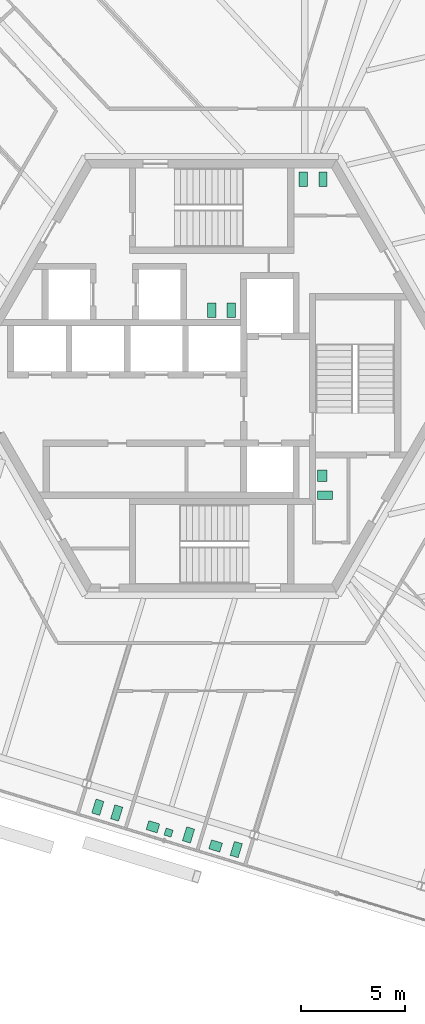
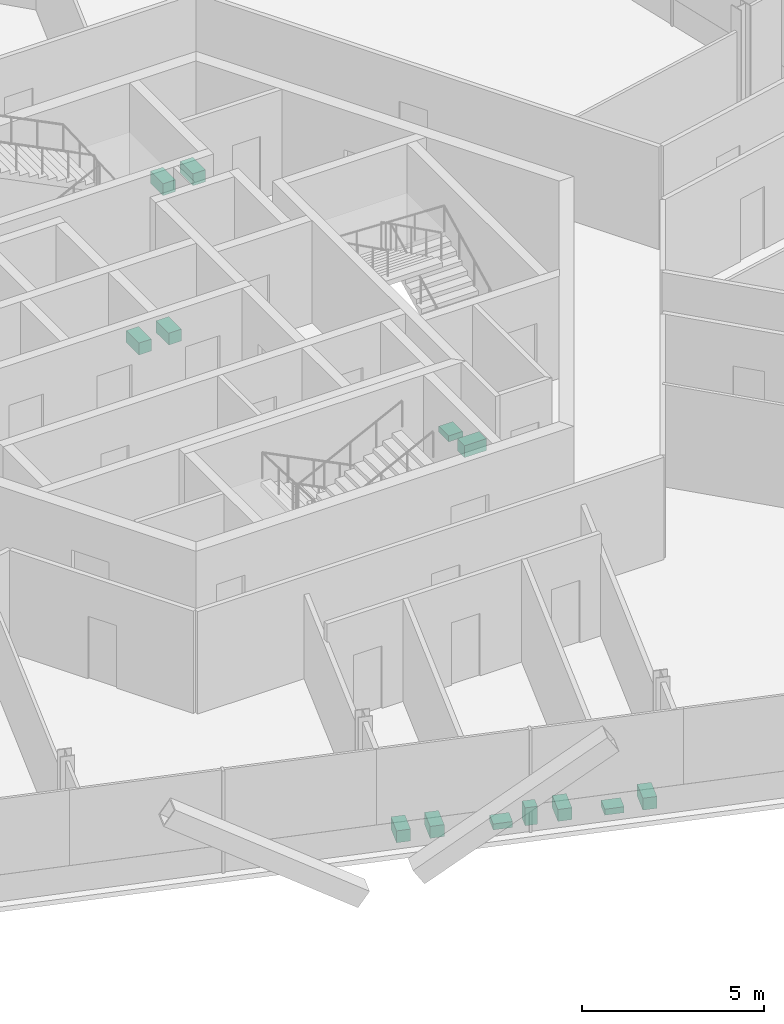
# One storey, part 18 of 20: 13 sanitary terminals.
"""IFC4 building model written with IfcOpenShell, lengths in metres."""

from ifc_helpers import new_model, si_unit, direction, frame, origin, origin_2d, place, context, subcontext, project, spatial, rectangle, extrude, source, transform, mapped, material, element, save


model = new_model("IFC4")

# Units and contexts
model_context = context("Model", 3, precision=1e-05, world=origin(), true_north=direction((0.0, 1.0)))
body_context = subcontext(model_context, "Body", "Model", "MODEL_VIEW")
ifc_project = project(units=[si_unit("LENGTHUNIT", "METRE"), si_unit("AREAUNIT", "SQUARE_METRE"), si_unit("VOLUMEUNIT", "CUBIC_METRE"), si_unit("PLANEANGLEUNIT", "RADIAN"), si_unit("MASSUNIT", "GRAM", prefix="KILO")], contexts=[model_context])

# Site, building, storey
site_placement = place(None, origin())
site = spatial("IfcSite", under=ifc_project, at=site_placement, CompositionType="ELEMENT")
building_placement = place(site_placement, origin())
building = spatial("IfcBuilding", under=site, at=building_placement, Name="Triune Harvest Tower", CompositionType="ELEMENT")
storey_placement = place(building_placement, frame((0.0, 0.0, 116.300048828125)))
storey = spatial("IfcBuildingStorey", under=building, at=storey_placement, Name="L29", CompositionType="ELEMENT", Elevation=116.300048828125)

# Sanitary terminals
ifc_material = material(Name="Vitreous china")
shared_shape_1 = source(origin(), body_context, "Body", "SweptSolid", [
    extrude(rectangle(XDim=0.39990234375, YDim=0.699951171875, at=origin_2d()), origin(), (0.0, 0.0, 1.0), 0.39990234375),
])
for number, where, z_axis, x_axis, name in (
    (1, (4.39990234375, 9.449951171875, 0.0), (0.0, 0.0, 1.0), (1.0, 0.0, 0.0), "Toilet pan L29.c01"),
    (2, (5.35009765625, 9.449951171875, 0.0), (0.0, 0.0, 1.0), (1.0, 0.0, 0.0), "Toilet pan L29.c02"),
    (3, (0.949951171875, 3.159912109375, 0.0), (0.0, 0.0, 1.0), (-1.0, 0.0, 0.0), "Toilet pan L29.c03"),
    (4, (0.0, 3.159912109375, 0.0), (0.0, 0.0, 1.0), (-1.0, 0.0, 0.0), "Toilet pan L29.c04"),
    (5, (5.449951171875, -5.739990234375, 0.0), (0.0, 0.0, 1.0), (0.0, 1.0, 0.0), "Toilet pan L29.c05"),
    (6, (-4.56103515625, -21.0087890625, 0.0), (0.0, 0.0, 1.0), (-0.956309858666, 0.292355014012, 0.0), "Toilet pan 01"),
    (7, (-5.469482421875, -20.73095703125, 0.0), (0.0, 0.0, 1.0), (-0.956309858666, 0.292355014012, 0.0), "Toilet pan 02"),
    (8, (-1.10986328125, -22.063720703125, 0.0), (0.0, 0.0, 1.0), (-0.956309858666, 0.292355014012, 0.0), "Toilet pan 03"),
    (9, (1.185302734375, -22.765380859375, 0.0), (0.0, 0.0, 1.0), (-0.956304755963, 0.292371704723, 0.0), "Toilet pan 06"),
):
    element("IfcSanitaryTerminal", number, at=place(storey_placement, frame(where, z_axis=z_axis, x_axis=x_axis)), inside=storey, material=ifc_material, Name=name, PredefinedType="TOILETPAN", context=body_context, shape_type="MappedRepresentation", body=[
        mapped(shared_shape_1, transform((0.0, 0.0, 0.0), scale=1.0)),
    ])
shared_shape_2 = source(origin(), body_context, "Body", "SweptSolid", [
    extrude(rectangle(XDim=0.35009765625, YDim=0.35009765625, at=origin_2d()), origin(), (0.0, 0.0, 1.0), 0.60009765625),
])
sanitary_terminal_placement = place(storey_placement, frame((-2.069580078125, -21.953369140625, 0.0), z_axis=(0.0, 0.0, 1.0), x_axis=(-0.956309858666, 0.292355014012, 0.0)))
element("IfcSanitaryTerminal", 10, at=sanitary_terminal_placement, inside=storey, material=ifc_material, Name="Urinal 04", PredefinedType="URINAL", context=body_context, shape_type="MappedRepresentation", body=[
    mapped(shared_shape_2, transform((0.0, 0.0, 0.0), scale=1.0)),
])
shared_shape_3 = source(origin(), body_context, "Body", "SweptSolid", [
    extrude(rectangle(XDim=0.550048828125, YDim=0.449951171875, at=origin_2d()), origin(), (0.0, 0.0, 1.0), 0.199951171875),
])
for number, where, z_axis, x_axis, name in (
    (11, (5.324951171875, -4.7900390625, 0.0), (0.0, 0.0, 1.0), (0.0, 1.0, 0.0), "Wash basin L29.c06"),
    (12, (-2.820068359375, -21.671630859375, 0.0), (0.0, 0.0, 1.0), (-0.956309858666, 0.292355014012, 0.0), "Wash basin 05"),
    (13, (0.1923828125, -22.592529296875, 0.0), (0.0, 0.0, 1.0), (-0.956304755963, 0.292371704723, 0.0), "Wash basin 07"),
):
    element("IfcSanitaryTerminal", number, at=place(storey_placement, frame(where, z_axis=z_axis, x_axis=x_axis)), inside=storey, material=ifc_material, Name=name, PredefinedType="WASHHANDBASIN", context=body_context, shape_type="MappedRepresentation", body=[
        mapped(shared_shape_3, transform((0.0, 0.0, 0.0), scale=1.0)),
    ])

save(model, "model.ifc")
